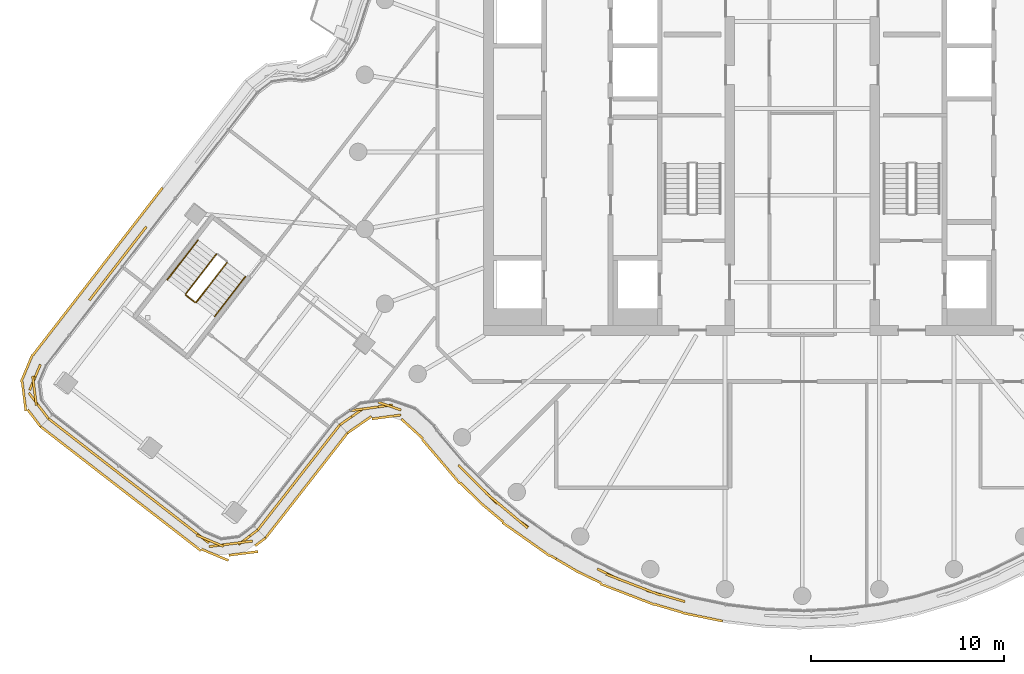
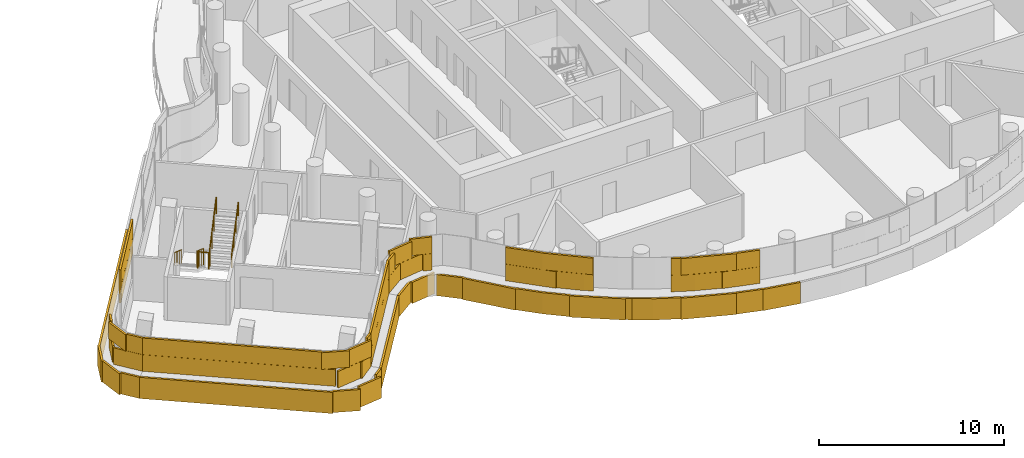
# One storey, part 21 of 26: 5 coverings, 5 railings.
"""IFC4 building model written with IfcOpenShell, lengths in metres."""

from ifc_helpers import new_model, si_unit, direction, frame, origin, origin_2d, place, context, subcontext, project, spatial, rectangle, circle, extrude, material, layer, layer_set, type_object, element, save


model = new_model("IFC4")

# Units and contexts
model_context = context("Model", 3, precision=1e-05, world=origin(), true_north=direction((0.0, 1.0)))
body_context = subcontext(model_context, "Body", "Model", "MODEL_VIEW")
ifc_project = project(units=[si_unit("LENGTHUNIT", "METRE"), si_unit("AREAUNIT", "SQUARE_METRE"), si_unit("VOLUMEUNIT", "CUBIC_METRE"), si_unit("PLANEANGLEUNIT", "RADIAN"), si_unit("MASSUNIT", "GRAM", prefix="KILO")], contexts=[model_context])

# Site, building, storey
site_placement = place(None, origin())
site = spatial("IfcSite", under=ifc_project, at=site_placement, CompositionType="ELEMENT")
building_placement = place(site_placement, origin())
building = spatial("IfcBuilding", under=site, at=building_placement, Name="Tamarind Cross Interchange Tower", CompositionType="ELEMENT")
storey_placement = place(building_placement, frame((0.0, 0.0, 223.5)))
storey = spatial("IfcBuildingStorey", under=building, at=storey_placement, Name="L56", CompositionType="ELEMENT", Elevation=223.5)

# Railings
ifc_material_1 = material(Name="Stair guard")
railing_type_1 = type_object("IfcRailingType", Name="Stair guard", PredefinedType="GUARDRAIL", material=ifc_material_1)
railing_1_placement = place(storey_placement, frame((-30.34326171875, -5.301025390625, 0.16357421875)))
element("IfcRailing", 1, at=railing_1_placement, inside=storey, type_object=railing_type_1, Name="L56 ST5 stair guard 1", PredefinedType="GUARDRAIL", context=body_context, shape_type="SweptSolid", body=[
    extrude(circle(Radius=0.02392578125, at=origin_2d()), frame((0.0, 0.0, 1.076171875), z_axis=(-0.518294854877, -0.66904697688, 0.532678689396), x_axis=(0.790538927468, -0.612411792962, 0.0)), (0.0, 0.0, 1.0), 3.072265625),
    extrude(circle(Radius=0.02099609375, at=origin_2d()), origin(), (0.0, 0.0, 1.0), 1.052001953125),
    extrude(circle(Radius=0.02099609375, at=origin_2d()), frame((-0.53076171875, -0.68505859375, 0.54541015625)), (0.0, 0.0, 1.0), 1.052001953125),
    extrude(circle(Radius=0.02099609375, at=origin_2d()), frame((-1.0615234375, -1.370361328125, 1.091064453125)), (0.0, 0.0, 1.0), 1.052001953125),
    extrude(circle(Radius=0.02099609375, at=origin_2d()), frame((-1.59228515625, -2.055419921875, 1.636474609375)), (0.0, 0.0, 1.0), 1.052001953125),
])
railing_2_placement = place(storey_placement, frame((-31.926513671875, -7.4267578125, 1.800048828125)))
element("IfcRailing", 2, at=railing_2_placement, inside=storey, type_object=railing_type_1, Name="L56 ST5 stair guard 2", PredefinedType="GUARDRAIL", context=body_context, shape_type="SweptSolid", body=[
    extrude(circle(Radius=0.02392578125, at=origin_2d()), frame((0.0, 0.0, 1.076171875), z_axis=(0.790577555925, -0.612361925717, 0.0), x_axis=(0.612361925717, 0.790577555925, 0.0)), (0.0, 0.0, 1.0), 0.60009765625),
    extrude(circle(Radius=0.02099609375, at=origin_2d()), origin(), (0.0, 0.0, 1.0), 1.052001953125),
    extrude(circle(Radius=0.02099609375, at=origin_2d()), frame((0.474365234375, -0.367431640625, 0.0)), (0.0, 0.0, 1.0), 1.052001953125),
])
railing_3_placement = place(storey_placement, frame((-31.382080078125, -7.78515625, 1.963623046875)))
element("IfcRailing", 3, at=railing_3_placement, inside=storey, type_object=railing_type_1, Name="L56 ST5 stair guard 3", PredefinedType="GUARDRAIL", context=body_context, shape_type="SweptSolid", body=[
    extrude(circle(Radius=0.02392578125, at=origin_2d()), frame((0.0, 0.0, 1.076171875), z_axis=(0.518236730228, 0.669074533322, 0.532700629155), x_axis=(-0.790584387917, 0.61235310531, 0.0)), (0.0, 0.0, 1.0), 3.072021484375),
    extrude(circle(Radius=0.02099609375, at=origin_2d()), origin(), (0.0, 0.0, 1.0), 1.052001953125),
    extrude(circle(Radius=0.02099609375, at=origin_2d()), frame((0.53076171875, 0.68505859375, 0.54541015625)), (0.0, 0.0, 1.0), 1.052001953125),
    extrude(circle(Radius=0.02099609375, at=origin_2d()), frame((1.061279296875, 1.370361328125, 1.091064453125)), (0.0, 0.0, 1.0), 1.052001953125),
    extrude(circle(Radius=0.02099609375, at=origin_2d()), frame((1.592041015625, 2.055419921875, 1.636474609375)), (0.0, 0.0, 1.0), 1.052001953125),
])
ifc_material_2 = material(Name="Stair handrail")
railing_type_2 = type_object("IfcRailingType", Name="Stair handrail", PredefinedType="HANDRAIL", material=ifc_material_2)
railing_4_placement = place(storey_placement, frame((-31.2919921875, -4.566162109375, 0.16357421875)))
element("IfcRailing", 4, at=railing_4_placement, inside=storey, type_object=railing_type_2, Name="L56 ST5 stair handrail 1", PredefinedType="HANDRAIL", context=body_context, shape_type="SweptSolid", body=[
    extrude(circle(Radius=0.02392578125, at=origin_2d()), frame((0.0, 0.0, 0.8759765625), z_axis=(-0.518267298585, -0.669090869992, 0.532650368356), x_axis=(0.790574140343, -0.61236633531, 0.0)), (0.0, 0.0, 1.0), 3.072265625),
    extrude(circle(Radius=0.02099609375, at=origin_2d()), origin(), (0.0, 0.0, 1.0), 0.851806640625),
    extrude(circle(Radius=0.02099609375, at=origin_2d()), frame((-0.53076171875, -0.685302734375, 0.54541015625)), (0.0, 0.0, 1.0), 0.851806640625),
    extrude(circle(Radius=0.02099609375, at=origin_2d()), frame((-1.0615234375, -1.370361328125, 1.091064453125)), (0.0, 0.0, 1.0), 0.851806640625),
    extrude(circle(Radius=0.02099609375, at=origin_2d()), frame((-1.59228515625, -2.0556640625, 1.636474609375)), (0.0, 0.0, 1.0), 0.851806640625),
])
railing_5_placement = place(storey_placement, frame((-30.433349609375, -8.52001953125, 1.963623046875)))
element("IfcRailing", 5, at=railing_5_placement, inside=storey, type_object=railing_type_2, Name="L56 ST5 stair handrail 2", PredefinedType="HANDRAIL", context=body_context, shape_type="SweptSolid", body=[
    extrude(circle(Radius=0.02392578125, at=origin_2d()), frame((0.0, 0.0, 0.8759765625), z_axis=(0.518236730228, 0.669074533322, 0.532700629155), x_axis=(-0.790584387917, 0.61235310531, 0.0)), (0.0, 0.0, 1.0), 3.072021484375),
    extrude(circle(Radius=0.02099609375, at=origin_2d()), origin(), (0.0, 0.0, 1.0), 0.851806640625),
    extrude(circle(Radius=0.02099609375, at=origin_2d()), frame((0.53076171875, 0.68505859375, 0.54541015625)), (0.0, 0.0, 1.0), 0.851806640625),
    extrude(circle(Radius=0.02099609375, at=origin_2d()), frame((1.061279296875, 1.370361328125, 1.091064453125)), (0.0, 0.0, 1.0), 0.851806640625),
    extrude(circle(Radius=0.02099609375, at=origin_2d()), frame((1.592041015625, 2.055419921875, 1.636474609375)), (0.0, 0.0, 1.0), 0.851806640625),
])

# Coverings
ifc_material_3 = material(Name="Terracotta", Category="masonry")
ifc_layer = layer(ifc_material_3, 0.1201171875)
ifc_layer_set = layer_set([ifc_layer], Name="Terracotta")
covering_type = type_object("IfcCoveringType", Name="Terracotta baguette screen unit", PredefinedType="MOLDING", material=ifc_layer_set)
covering_1_placement = place(storey_placement, origin())
element("IfcCovering", 6, at=covering_1_placement, inside=storey, type_object=covering_type, Name="SCR-L56-00-00", PredefinedType="MOLDING", context=body_context, shape_type="SweptSolid", body=[
    extrude(rectangle(XDim=1.510009765625, YDim=0.1201171875, at=origin_2d()), frame((-38.449462890625, -14.27734375, 1.40380859375), z_axis=(0.0, 0.0, 1.0), x_axis=(0.790582709629, -0.612355272073, 0.0)), (0.0, 0.0, 1.0), 1.092041015625),
    extrude(rectangle(XDim=1.52001953125, YDim=0.1201171875, at=origin_2d()), frame((-37.263427734375, -15.19580078125, 1.40380859375), z_axis=(0.0, 0.0, 1.0), x_axis=(0.790582709629, -0.612355272073, 0.0)), (0.0, 0.0, 1.0), 1.092041015625),
    extrude(rectangle(XDim=1.52001953125, YDim=0.1201171875, at=origin_2d()), frame((-36.07763671875, -16.1142578125, 1.40380859375), z_axis=(0.0, 0.0, 1.0), x_axis=(0.790582709629, -0.612355272073, 0.0)), (0.0, 0.0, 1.0), 1.092041015625),
    extrude(rectangle(XDim=1.52001953125, YDim=0.1201171875, at=origin_2d()), frame((-34.891845703125, -17.032958984375, 1.40380859375), z_axis=(0.0, 0.0, 1.0), x_axis=(0.790582709629, -0.612355272073, 0.0)), (0.0, 0.0, 1.0), 1.092041015625),
    extrude(rectangle(XDim=1.52001953125, YDim=0.1201171875, at=origin_2d()), frame((-33.705810546875, -17.951416015625, 1.40380859375), z_axis=(0.0, 0.0, 1.0), x_axis=(0.790582709629, -0.612355272073, 0.0)), (0.0, 0.0, 1.0), 1.092041015625),
    extrude(rectangle(XDim=1.52001953125, YDim=0.1201171875, at=origin_2d()), frame((-32.52001953125, -18.869873046875, 1.40380859375), z_axis=(0.0, 0.0, 1.0), x_axis=(0.790582709629, -0.612355272073, 0.0)), (0.0, 0.0, 1.0), 1.092041015625),
    extrude(rectangle(XDim=1.52001953125, YDim=0.1201171875, at=origin_2d()), frame((-31.334228515625, -19.78857421875, 1.40380859375), z_axis=(0.0, 0.0, 1.0), x_axis=(0.790582709629, -0.612355272073, 0.0)), (0.0, 0.0, 1.0), 1.092041015625),
    extrude(rectangle(XDim=1.52001953125, YDim=0.1201171875, at=origin_2d()), frame((-29.97607421875, -20.35107421875, 1.40380859375), z_axis=(0.0, 0.0, 1.0), x_axis=(0.992026960446, 0.126025829689, 0.0)), (0.0, 0.0, 1.0), 1.092041015625),
    extrude(rectangle(XDim=1.259521484375, YDim=0.1201171875, at=origin_2d()), frame((-28.69970703125, -19.9638671875, 1.40380859375), z_axis=(0.0, 0.0, 1.0), x_axis=(0.796107634141, 0.605155050266, 0.0)), (0.0, 0.0, 1.0), 1.092041015625),
    extrude(rectangle(XDim=0.760009765625, YDim=0.1201171875, at=origin_2d()), frame((-38.745849609375, -14.047607421875, 2.50390625), z_axis=(0.0, 0.0, 1.0), x_axis=(0.790582709629, -0.612355272073, 0.0)), (0.0, 0.0, 1.0), 1.092041015625),
    extrude(rectangle(XDim=1.52001953125, YDim=0.1201171875, at=origin_2d()), frame((-37.8564453125, -14.736572265625, 2.50390625), z_axis=(0.0, 0.0, 1.0), x_axis=(0.790582709629, -0.612355272073, 0.0)), (0.0, 0.0, 1.0), 1.092041015625),
    extrude(rectangle(XDim=1.52001953125, YDim=0.1201171875, at=origin_2d()), frame((-36.670654296875, -15.655029296875, 2.50390625), z_axis=(0.0, 0.0, 1.0), x_axis=(0.790582709629, -0.612355272073, 0.0)), (0.0, 0.0, 1.0), 1.092041015625),
    extrude(rectangle(XDim=1.52001953125, YDim=0.1201171875, at=origin_2d()), frame((-35.484619140625, -16.57373046875, 2.50390625), z_axis=(0.0, 0.0, 1.0), x_axis=(0.790582709629, -0.612355272073, 0.0)), (0.0, 0.0, 1.0), 1.092041015625),
    extrude(rectangle(XDim=1.52001953125, YDim=0.1201171875, at=origin_2d()), frame((-34.298828125, -17.4921875, 2.50390625), z_axis=(0.0, 0.0, 1.0), x_axis=(0.790582709629, -0.612355272073, 0.0)), (0.0, 0.0, 1.0), 1.092041015625),
    extrude(rectangle(XDim=1.52001953125, YDim=0.1201171875, at=origin_2d()), frame((-33.113037109375, -18.41064453125, 2.50390625), z_axis=(0.0, 0.0, 1.0), x_axis=(0.790582709629, -0.612355272073, 0.0)), (0.0, 0.0, 1.0), 1.092041015625),
    extrude(rectangle(XDim=1.52001953125, YDim=0.1201171875, at=origin_2d()), frame((-31.927001953125, -19.329345703125, 2.50390625), z_axis=(0.0, 0.0, 1.0), x_axis=(0.790582709629, -0.612355272073, 0.0)), (0.0, 0.0, 1.0), 1.092041015625),
    extrude(rectangle(XDim=1.52001953125, YDim=0.1201171875, at=origin_2d()), frame((-30.678466796875, -20.140380859375, 2.50390625), z_axis=(0.0, 0.0, 1.0), x_axis=(0.92213346383, -0.386871910179, 0.0)), (0.0, 0.0, 1.0), 1.092041015625),
    extrude(rectangle(XDim=1.52001953125, YDim=0.1201171875, at=origin_2d()), frame((-29.232177734375, -20.25634765625, 2.50390625), z_axis=(0.0, 0.0, 1.0), x_axis=(0.992026960446, 0.126025829689, 0.0)), (0.0, 0.0, 1.0), 1.092041015625),
    extrude(rectangle(XDim=0.509521484375, YDim=0.1201171875, at=origin_2d()), frame((-28.4013671875, -19.737060546875, 2.50390625), z_axis=(0.0, 0.0, 1.0), x_axis=(0.796107634141, 0.605155050266, 0.0)), (0.0, 0.0, 1.0), 1.092041015625),
    extrude(rectangle(XDim=1.510009765625, YDim=0.1201171875, at=origin_2d()), frame((-38.856689453125, -14.68798828125, 0.00390625), z_axis=(0.0, 0.0, 1.0), x_axis=(0.790582709629, -0.612355272073, 0.0)), (0.0, 0.0, 1.0), 1.39208984375),
    extrude(rectangle(XDim=1.52001953125, YDim=0.1201171875, at=origin_2d()), frame((-37.6748046875, -15.603271484375, 0.00390625), z_axis=(0.0, 0.0, 1.0), x_axis=(0.790582709629, -0.612355272073, 0.0)), (0.0, 0.0, 1.0), 1.39208984375),
    extrude(rectangle(XDim=1.52001953125, YDim=0.1201171875, at=origin_2d()), frame((-36.489013671875, -16.52197265625, 0.00390625), z_axis=(0.0, 0.0, 1.0), x_axis=(0.790582709629, -0.612355272073, 0.0)), (0.0, 0.0, 1.0), 1.39208984375),
    extrude(rectangle(XDim=1.52001953125, YDim=0.1201171875, at=origin_2d()), frame((-35.302978515625, -17.4404296875, 0.00390625), z_axis=(0.0, 0.0, 1.0), x_axis=(0.790582709629, -0.612355272073, 0.0)), (0.0, 0.0, 1.0), 1.39208984375),
    extrude(rectangle(XDim=1.52001953125, YDim=0.1201171875, at=origin_2d()), frame((-34.1171875, -18.35888671875, 0.00390625), z_axis=(0.0, 0.0, 1.0), x_axis=(0.790582709629, -0.612355272073, 0.0)), (0.0, 0.0, 1.0), 1.39208984375),
    extrude(rectangle(XDim=1.52001953125, YDim=0.1201171875, at=origin_2d()), frame((-32.931396484375, -19.277587890625, 0.00390625), z_axis=(0.0, 0.0, 1.0), x_axis=(0.790582709629, -0.612355272073, 0.0)), (0.0, 0.0, 1.0), 1.39208984375),
    extrude(rectangle(XDim=1.52001953125, YDim=0.1201171875, at=origin_2d()), frame((-31.745361328125, -20.196044921875, 0.00390625), z_axis=(0.0, 0.0, 1.0), x_axis=(0.790582709629, -0.612355272073, 0.0)), (0.0, 0.0, 1.0), 1.39208984375),
    extrude(rectangle(XDim=1.52001953125, YDim=0.1201171875, at=origin_2d()), frame((-30.418212890625, -20.8720703125, 0.00390625), z_axis=(0.0, 0.0, 1.0), x_axis=(0.92213346383, -0.386871910179, 0.0)), (0.0, 0.0, 1.0), 1.39208984375),
    extrude(rectangle(XDim=1.52001953125, YDim=0.1201171875, at=origin_2d()), frame((-28.94580078125, -20.798828125, 0.00390625), z_axis=(0.0, 0.0, 1.0), x_axis=(0.992026960446, 0.126025829689, 0.0)), (0.0, 0.0, 1.0), 1.39208984375),
    extrude(rectangle(XDim=0.67578125, YDim=0.1201171875, at=origin_2d()), frame((-28.06494140625, -20.2021484375, 0.00390625), z_axis=(0.0, 0.0, 1.0), x_axis=(0.796107634141, 0.605155050266, 0.0)), (0.0, 0.0, 1.0), 1.39208984375),
])
covering_2_placement = place(storey_placement, origin())
element("IfcCovering", 7, at=covering_2_placement, inside=storey, type_object=covering_type, Name="SCR-L56-01-00", PredefinedType="MOLDING", context=body_context, shape_type="SweptSolid", body=[
    extrude(rectangle(XDim=1.510009765625, YDim=0.1201171875, at=origin_2d()), frame((-27.740966796875, -18.99462890625, 1.40380859375), z_axis=(0.0, 0.0, 1.0), x_axis=(0.615428676698, 0.788192580464, 0.0)), (0.0, 0.0, 1.0), 1.092041015625),
    extrude(rectangle(XDim=1.52001953125, YDim=0.1201171875, at=origin_2d()), frame((-26.817626953125, -17.8125, 1.40380859375), z_axis=(0.0, 0.0, 1.0), x_axis=(0.615428676698, 0.788192580464, 0.0)), (0.0, 0.0, 1.0), 1.092041015625),
    extrude(rectangle(XDim=1.52001953125, YDim=0.1201171875, at=origin_2d()), frame((-25.89453125, -16.630126953125, 1.40380859375), z_axis=(0.0, 0.0, 1.0), x_axis=(0.615428676698, 0.788192580464, 0.0)), (0.0, 0.0, 1.0), 1.092041015625),
    extrude(rectangle(XDim=1.52001953125, YDim=0.1201171875, at=origin_2d()), frame((-24.971435546875, -15.44775390625, 1.40380859375), z_axis=(0.0, 0.0, 1.0), x_axis=(0.615428676698, 0.788192580464, 0.0)), (0.0, 0.0, 1.0), 1.092041015625),
    extrude(rectangle(XDim=0.913818359375, YDim=0.1201171875, at=origin_2d()), frame((-24.231689453125, -14.50048828125, 1.40380859375), z_axis=(0.0, 0.0, 1.0), x_axis=(0.615428676698, 0.788192580464, 0.0)), (0.0, 0.0, 1.0), 1.092041015625),
    extrude(rectangle(XDim=0.760009765625, YDim=0.1201171875, at=origin_2d()), frame((-27.9716796875, -19.290283203125, 2.50390625), z_axis=(0.0, 0.0, 1.0), x_axis=(0.615428676698, 0.788192580464, 0.0)), (0.0, 0.0, 1.0), 1.092041015625),
    extrude(rectangle(XDim=1.52001953125, YDim=0.1201171875, at=origin_2d()), frame((-27.279296875, -18.403564453125, 2.50390625), z_axis=(0.0, 0.0, 1.0), x_axis=(0.615428676698, 0.788192580464, 0.0)), (0.0, 0.0, 1.0), 1.092041015625),
    extrude(rectangle(XDim=1.52001953125, YDim=0.1201171875, at=origin_2d()), frame((-26.356201171875, -17.22119140625, 2.50390625), z_axis=(0.0, 0.0, 1.0), x_axis=(0.615428676698, 0.788192580464, 0.0)), (0.0, 0.0, 1.0), 1.092041015625),
    extrude(rectangle(XDim=1.52001953125, YDim=0.1201171875, at=origin_2d()), frame((-25.43310546875, -16.0390625, 2.50390625), z_axis=(0.0, 0.0, 1.0), x_axis=(0.615428676698, 0.788192580464, 0.0)), (0.0, 0.0, 1.0), 1.092041015625),
    extrude(rectangle(XDim=1.52001953125, YDim=0.1201171875, at=origin_2d()), frame((-24.509765625, -14.856689453125, 2.50390625), z_axis=(0.0, 0.0, 1.0), x_axis=(0.615428676698, 0.788192580464, 0.0)), (0.0, 0.0, 1.0), 1.092041015625),
    extrude(rectangle(XDim=0.163818359375, YDim=0.1201171875, at=origin_2d()), frame((-24.0009765625, -14.204833984375, 2.50390625), z_axis=(0.0, 0.0, 1.0), x_axis=(0.615428676698, 0.788192580464, 0.0)), (0.0, 0.0, 1.0), 1.092041015625),
    extrude(rectangle(XDim=1.510009765625, YDim=0.1201171875, at=origin_2d()), frame((-27.3310546875, -19.402587890625, 0.00390625), z_axis=(0.0, 0.0, 1.0), x_axis=(0.615428676698, 0.788192580464, 0.0)), (0.0, 0.0, 1.0), 1.39208984375),
    extrude(rectangle(XDim=1.52001953125, YDim=0.1201171875, at=origin_2d()), frame((-26.4111328125, -18.224365234375, 0.00390625), z_axis=(0.0, 0.0, 1.0), x_axis=(0.615428676698, 0.788192580464, 0.0)), (0.0, 0.0, 1.0), 1.39208984375),
    extrude(rectangle(XDim=1.52001953125, YDim=0.1201171875, at=origin_2d()), frame((-25.488037109375, -17.0419921875, 0.00390625), z_axis=(0.0, 0.0, 1.0), x_axis=(0.615428676698, 0.788192580464, 0.0)), (0.0, 0.0, 1.0), 1.39208984375),
    extrude(rectangle(XDim=1.52001953125, YDim=0.1201171875, at=origin_2d()), frame((-24.564697265625, -15.859619140625, 0.00390625), z_axis=(0.0, 0.0, 1.0), x_axis=(0.615428676698, 0.788192580464, 0.0)), (0.0, 0.0, 1.0), 1.39208984375),
    extrude(rectangle(XDim=0.901611328125, YDim=0.1201171875, at=origin_2d()), frame((-23.83203125, -14.921142578125, 0.00390625), z_axis=(0.0, 0.0, 1.0), x_axis=(0.615428676698, 0.788192580464, 0.0)), (0.0, 0.0, 1.0), 1.39208984375),
])
covering_3_placement = place(storey_placement, origin())
element("IfcCovering", 8, at=covering_3_placement, inside=storey, type_object=covering_type, Name="SCR-L56-02-00", PredefinedType="MOLDING", context=body_context, shape_type="SweptSolid", body=[
    extrude(rectangle(XDim=1.510009765625, YDim=0.1201171875, at=origin_2d()), frame((-23.337890625, -13.7158203125, 1.40380859375), z_axis=(0.0, 0.0, 1.0), x_axis=(0.820814568141, 0.571194752013, 0.0)), (0.0, 0.0, 1.0), 1.092041015625),
    extrude(rectangle(XDim=1.52001953125, YDim=0.1201171875, at=origin_2d()), frame((-21.969970703125, -13.20947265625, 1.40380859375), z_axis=(0.0, 0.0, 1.0), x_axis=(0.990734936562, 0.135809739985, 0.0)), (0.0, 0.0, 1.0), 1.092041015625),
    extrude(rectangle(XDim=0.492919921875, YDim=0.1201171875, at=origin_2d()), frame((-21.0087890625, -13.293212890625, 1.40380859375), z_axis=(0.0, 0.0, 1.0), x_axis=(0.946238036116, -0.323471140918, 0.0)), (0.0, 0.0, 1.0), 1.092041015625),
    extrude(rectangle(XDim=1.326904296875, YDim=0.1201171875, at=origin_2d()), frame((-17.341064453125, -16.695556640625, 1.40380859375), z_axis=(0.0, 0.0, 1.0), x_axis=(0.710143317658, -0.704057148523, 0.0)), (0.0, 0.0, 1.0), 1.092041015625),
    extrude(rectangle(XDim=1.52001953125, YDim=0.1201171875, at=origin_2d()), frame((-16.3408203125, -17.687255859375, 1.40380859375), z_axis=(0.0, 0.0, 1.0), x_axis=(0.710143317658, -0.704057148523, 0.0)), (0.0, 0.0, 1.0), 1.092041015625),
    extrude(rectangle(XDim=1.52001953125, YDim=0.1201171875, at=origin_2d()), frame((-15.200439453125, -18.66064453125, 1.40380859375), z_axis=(0.0, 0.0, 1.0), x_axis=(0.765858396687, -0.643009266048, 0.0)), (0.0, 0.0, 1.0), 1.092041015625),
    extrude(rectangle(XDim=0.531005859375, YDim=0.1201171875, at=origin_2d()), frame((-14.40771484375, -19.2861328125, 1.40380859375), z_axis=(0.0, 0.0, 1.0), x_axis=(0.816341886298, -0.577568978284, 0.0)), (0.0, 0.0, 1.0), 1.092041015625),
    extrude(rectangle(XDim=0.760009765625, YDim=0.1201171875, at=origin_2d()), frame((-23.645751953125, -13.929931640625, 2.50390625), z_axis=(0.0, 0.0, 1.0), x_axis=(0.820814568141, 0.571194752013, 0.0)), (0.0, 0.0, 1.0), 1.092041015625),
    extrude(rectangle(XDim=1.52001953125, YDim=0.1201171875, at=origin_2d()), frame((-22.713134765625, -13.311279296875, 2.50390625), z_axis=(0.0, 0.0, 1.0), x_axis=(0.990734936562, 0.135809739985, 0.0)), (0.0, 0.0, 1.0), 1.092041015625),
    extrude(rectangle(XDim=1.242919921875, YDim=0.1201171875, at=origin_2d()), frame((-21.36376953125, -13.171875, 2.50390625), z_axis=(0.0, 0.0, 1.0), x_axis=(0.946238036116, -0.323471140918, 0.0)), (0.0, 0.0, 1.0), 1.092041015625),
    extrude(rectangle(XDim=0.576904296875, YDim=0.1201171875, at=origin_2d()), frame((-17.607421875, -16.431640625, 2.50390625), z_axis=(0.0, 0.0, 1.0), x_axis=(0.710143317658, -0.704057148523, 0.0)), (0.0, 0.0, 1.0), 1.092041015625),
    extrude(rectangle(XDim=1.52001953125, YDim=0.1201171875, at=origin_2d()), frame((-16.87353515625, -17.1591796875, 2.50390625), z_axis=(0.0, 0.0, 1.0), x_axis=(0.710143317658, -0.704057148523, 0.0)), (0.0, 0.0, 1.0), 1.092041015625),
    extrude(rectangle(XDim=1.52001953125, YDim=0.1201171875, at=origin_2d()), frame((-15.774658203125, -18.178466796875, 2.50390625), z_axis=(0.0, 0.0, 1.0), x_axis=(0.765858396687, -0.643009266048, 0.0)), (0.0, 0.0, 1.0), 1.092041015625),
    extrude(rectangle(XDim=1.281005859375, YDim=0.1201171875, at=origin_2d()), frame((-14.713623046875, -19.0693359375, 2.50390625), z_axis=(0.0, 0.0, 1.0), x_axis=(0.765858396687, -0.643009266048, 0.0)), (0.0, 0.0, 1.0), 1.092041015625),
    extrude(rectangle(XDim=1.510009765625, YDim=0.1201171875, at=origin_2d()), frame((-22.934814453125, -14.134521484375, 0.00390625), z_axis=(0.0, 0.0, 1.0), x_axis=(0.820814568141, 0.571194752013, 0.0)), (0.0, 0.0, 1.0), 1.39208984375),
    extrude(rectangle(XDim=1.52001953125, YDim=0.1201171875, at=origin_2d()), frame((-21.53271484375, -13.728759765625, 0.00390625), z_axis=(0.0, 0.0, 1.0), x_axis=(0.990734936562, 0.135809739985, 0.0)), (0.0, 0.0, 1.0), 1.39208984375),
    extrude(rectangle(XDim=1.52001953125, YDim=0.1201171875, at=origin_2d()), frame((-20.19873046875, -14.3515625, 0.00390625), z_axis=(0.0, 0.0, 1.0), x_axis=(0.739005481739, -0.673699412171, 0.0)), (0.0, 0.0, 1.0), 1.39208984375),
    extrude(rectangle(XDim=1.52001953125, YDim=0.1201171875, at=origin_2d()), frame((-19.197998046875, -15.461181640625, 0.00390625), z_axis=(0.0, 0.0, 1.0), x_axis=(0.64957723968, -0.760295606781, 0.0)), (0.0, 0.0, 1.0), 1.39208984375),
    extrude(rectangle(XDim=1.52001953125, YDim=0.1201171875, at=origin_2d()), frame((-18.2236328125, -16.6015625, 0.00390625), z_axis=(0.0, 0.0, 1.0), x_axis=(0.64957723968, -0.760295606781, 0.0)), (0.0, 0.0, 1.0), 1.39208984375),
    extrude(rectangle(XDim=1.52001953125, YDim=0.1201171875, at=origin_2d()), frame((-17.172607421875, -17.6708984375, 0.00390625), z_axis=(0.0, 0.0, 1.0), x_axis=(0.710143317658, -0.704057148523, 0.0)), (0.0, 0.0, 1.0), 1.39208984375),
    extrude(rectangle(XDim=1.52001953125, YDim=0.1201171875, at=origin_2d()), frame((-16.06689453125, -18.6826171875, 0.00390625), z_axis=(0.0, 0.0, 1.0), x_axis=(0.765858396687, -0.643009266048, 0.0)), (0.0, 0.0, 1.0), 1.39208984375),
    extrude(rectangle(XDim=1.52001953125, YDim=0.1201171875, at=origin_2d()), frame((-14.90869140625, -19.634765625, 0.00390625), z_axis=(0.0, 0.0, 1.0), x_axis=(0.816341886298, -0.577568978284, 0.0)), (0.0, 0.0, 1.0), 1.39208984375),
    extrude(rectangle(XDim=1.52001953125, YDim=0.1201171875, at=origin_2d()), frame((-13.68408203125, -20.5009765625, 0.00390625), z_axis=(0.0, 0.0, 1.0), x_axis=(0.816341886298, -0.577568978284, 0.0)), (0.0, 0.0, 1.0), 1.39208984375),
    extrude(rectangle(XDim=0.36962890625, YDim=0.1201171875, at=origin_2d()), frame((-12.9033203125, -20.995361328125, 0.00390625), z_axis=(0.0, 0.0, 1.0), x_axis=(0.861248933065, -0.508183308752, 0.0)), (0.0, 0.0, 1.0), 1.39208984375),
])
covering_4_placement = place(storey_placement, origin())
element("IfcCovering", 9, at=covering_4_placement, inside=storey, type_object=covering_type, Name="SCR-L56-02-01", PredefinedType="MOLDING", context=body_context, shape_type="SweptSolid", body=[
    extrude(rectangle(XDim=1.2890625, YDim=0.1201171875, at=origin_2d()), frame((-10.02978515625, -21.88134765625, 1.40380859375), z_axis=(0.0, 0.0, 1.0), x_axis=(0.900272776334, -0.435326231914, 0.0)), (0.0, 0.0, 1.0), 1.092041015625),
    extrude(rectangle(XDim=1.52001953125, YDim=0.1201171875, at=origin_2d()), frame((-8.74951171875, -22.418701171875, 1.40380859375), z_axis=(0.0, 0.0, 1.0), x_axis=(0.933146843667, -0.359495435512, 0.0)), (0.0, 0.0, 1.0), 1.092041015625),
    extrude(rectangle(XDim=1.52001953125, YDim=0.1201171875, at=origin_2d()), frame((-7.339111328125, -22.9267578125, 1.40380859375), z_axis=(0.0, 0.0, 1.0), x_axis=(0.95964657186, -0.281208920763, 0.0)), (0.0, 0.0, 1.0), 1.092041015625),
    extrude(rectangle(XDim=0.57421875, YDim=0.1201171875, at=origin_2d()), frame((-6.3486328125, -23.217041015625, 1.40380859375), z_axis=(0.0, 0.0, 1.0), x_axis=(0.95964657186, -0.281208920763, 0.0)), (0.0, 0.0, 1.0), 1.092041015625),
    extrude(rectangle(XDim=0.5390625, YDim=0.1201171875, at=origin_2d()), frame((-10.367431640625, -21.71826171875, 2.50390625), z_axis=(0.0, 0.0, 1.0), x_axis=(0.900272776334, -0.435326231914, 0.0)), (0.0, 0.0, 1.0), 1.092041015625),
    extrude(rectangle(XDim=1.52001953125, YDim=0.1201171875, at=origin_2d()), frame((-9.449462890625, -22.149169921875, 2.50390625), z_axis=(0.0, 0.0, 1.0), x_axis=(0.933146843667, -0.359495435512, 0.0)), (0.0, 0.0, 1.0), 1.092041015625),
    extrude(rectangle(XDim=1.52001953125, YDim=0.1201171875, at=origin_2d()), frame((-8.049560546875, -22.6884765625, 2.50390625), z_axis=(0.0, 0.0, 1.0), x_axis=(0.933146843667, -0.359495435512, 0.0)), (0.0, 0.0, 1.0), 1.092041015625),
    extrude(rectangle(XDim=1.32421875, YDim=0.1201171875, at=origin_2d()), frame((-6.70849609375, -23.111572265625, 2.50390625), z_axis=(0.0, 0.0, 1.0), x_axis=(0.95964657186, -0.281208920763, 0.0)), (0.0, 0.0, 1.0), 1.092041015625),
    extrude(rectangle(XDim=1.150390625, YDim=0.1201171875, at=origin_2d()), frame((-12.248779296875, -21.381591796875, 0.00390625), z_axis=(0.0, 0.0, 1.0), x_axis=(0.861248933065, -0.508183308752, 0.0)), (0.0, 0.0, 1.0), 1.39208984375),
    extrude(rectangle(XDim=1.52001953125, YDim=0.1201171875, at=origin_2d()), frame((-11.09228515625, -22.00537109375, 0.00390625), z_axis=(0.0, 0.0, 1.0), x_axis=(0.900272776334, -0.435326231914, 0.0)), (0.0, 0.0, 1.0), 1.39208984375),
    extrude(rectangle(XDim=1.52001953125, YDim=0.1201171875, at=origin_2d()), frame((-9.7392578125, -22.652587890625, 0.00390625), z_axis=(0.0, 0.0, 1.0), x_axis=(0.933146843667, -0.359495435512, 0.0)), (0.0, 0.0, 1.0), 1.39208984375),
    extrude(rectangle(XDim=1.52001953125, YDim=0.1201171875, at=origin_2d()), frame((-8.339599609375, -23.19189453125, 0.00390625), z_axis=(0.0, 0.0, 1.0), x_axis=(0.933146843667, -0.359495435512, 0.0)), (0.0, 0.0, 1.0), 1.39208984375),
    extrude(rectangle(XDim=1.52001953125, YDim=0.1201171875, at=origin_2d()), frame((-6.912353515625, -23.64990234375, 0.00390625), z_axis=(0.0, 0.0, 1.0), x_axis=(0.95964657186, -0.281208920763, 0.0)), (0.0, 0.0, 1.0), 1.39208984375),
    extrude(rectangle(XDim=1.52001953125, YDim=0.1201171875, at=origin_2d()), frame((-5.463134765625, -24.03173828125, 0.00390625), z_axis=(0.0, 0.0, 1.0), x_axis=(0.9795909409, -0.201001463943, 0.0)), (0.0, 0.0, 1.0), 1.39208984375),
    extrude(rectangle(XDim=0.628662109375, YDim=0.1201171875, at=origin_2d()), frame((-4.43017578125, -24.24365234375, 0.00390625), z_axis=(0.0, 0.0, 1.0), x_axis=(0.9795909409, -0.201001463943, 0.0)), (0.0, 0.0, 1.0), 1.39208984375),
])
covering_5_placement = place(storey_placement, origin())
element("IfcCovering", 10, at=covering_5_placement, inside=storey, type_object=covering_type, Name="SCR-L56-07-01", PredefinedType="MOLDING", context=body_context, shape_type="SweptSolid", body=[
    extrude(rectangle(XDim=1.450439453125, YDim=0.1201171875, at=origin_2d()), frame((-34.4130859375, -4.44775390625, 1.40380859375), z_axis=(0.0, 0.0, 1.0), x_axis=(-0.612355272073, -0.790582709629, 0.0)), (0.0, 0.0, 1.0), 1.092041015625),
    extrude(rectangle(XDim=1.52001953125, YDim=0.1201171875, at=origin_2d()), frame((-35.3134765625, -5.610107421875, 1.40380859375), z_axis=(0.0, 0.0, 1.0), x_axis=(-0.612355272073, -0.790582709629, 0.0)), (0.0, 0.0, 1.0), 1.092041015625),
    extrude(rectangle(XDim=1.52001953125, YDim=0.1201171875, at=origin_2d()), frame((-36.23193359375, -6.796142578125, 1.40380859375), z_axis=(0.0, 0.0, 1.0), x_axis=(-0.612355272073, -0.790582709629, 0.0)), (0.0, 0.0, 1.0), 1.092041015625),
    extrude(rectangle(XDim=0.38134765625, YDim=0.1201171875, at=origin_2d()), frame((-36.804931640625, -7.535888671875, 1.40380859375), z_axis=(0.0, 0.0, 1.0), x_axis=(-0.612355272073, -0.790582709629, 0.0)), (0.0, 0.0, 1.0), 1.092041015625),
    extrude(rectangle(XDim=1.438720703125, YDim=0.1201171875, at=origin_2d()), frame((-39.73828125, -11.678466796875, 1.40380859375), z_axis=(0.0, 0.0, 1.0), x_axis=(-0.386871910179, -0.92213346383, 0.0)), (0.0, 0.0, 1.0), 1.092041015625),
    extrude(rectangle(XDim=1.52001953125, YDim=0.1201171875, at=origin_2d()), frame((-39.59912109375, -13.08544921875, 1.40380859375), z_axis=(0.0, 0.0, 1.0), x_axis=(0.605155050266, -0.796107634141, 0.0)), (0.0, 0.0, 1.0), 1.092041015625),
    extrude(rectangle(XDim=0.18017578125, YDim=0.1201171875, at=origin_2d()), frame((-39.09375, -13.750244140625, 1.40380859375), z_axis=(0.0, 0.0, 1.0), x_axis=(0.605155050266, -0.796107634141, 0.0)), (0.0, 0.0, 1.0), 1.092041015625),
    extrude(rectangle(XDim=0.700439453125, YDim=0.1201171875, at=origin_2d()), frame((-34.18359375, -4.1513671875, 2.50390625), z_axis=(0.0, 0.0, 1.0), x_axis=(-0.612355272073, -0.790582709629, 0.0)), (0.0, 0.0, 1.0), 1.092041015625),
    extrude(rectangle(XDim=1.52001953125, YDim=0.1201171875, at=origin_2d()), frame((-34.854248046875, -5.017333984375, 2.50390625), z_axis=(0.0, 0.0, 1.0), x_axis=(-0.612355272073, -0.790582709629, 0.0)), (0.0, 0.0, 1.0), 1.092041015625),
    extrude(rectangle(XDim=1.52001953125, YDim=0.1201171875, at=origin_2d()), frame((-35.772705078125, -6.203125, 2.50390625), z_axis=(0.0, 0.0, 1.0), x_axis=(-0.612355272073, -0.790582709629, 0.0)), (0.0, 0.0, 1.0), 1.092041015625),
    extrude(rectangle(XDim=1.13134765625, YDim=0.1201171875, at=origin_2d()), frame((-36.575439453125, -7.2392578125, 2.50390625), z_axis=(0.0, 0.0, 1.0), x_axis=(-0.612355272073, -0.790582709629, 0.0)), (0.0, 0.0, 1.0), 1.092041015625),
    extrude(rectangle(XDim=0.688720703125, YDim=0.1201171875, at=origin_2d()), frame((-39.59326171875, -11.33251953125, 2.50390625), z_axis=(0.0, 0.0, 1.0), x_axis=(-0.386871910179, -0.92213346383, 0.0)), (0.0, 0.0, 1.0), 1.092041015625),
    extrude(rectangle(XDim=1.52001953125, YDim=0.1201171875, at=origin_2d()), frame((-39.76611328125, -12.37109375, 2.50390625), z_axis=(0.0, 0.0, 1.0), x_axis=(0.126025829689, -0.992026960446, 0.0)), (0.0, 0.0, 1.0), 1.092041015625),
    extrude(rectangle(XDim=0.93017578125, YDim=0.1201171875, at=origin_2d()), frame((-39.32080078125, -13.45166015625, 2.50390625), z_axis=(0.0, 0.0, 1.0), x_axis=(0.605155050266, -0.796107634141, 0.0)), (0.0, 0.0, 1.0), 1.092041015625),
    extrude(rectangle(XDim=0.492431640625, YDim=0.1201171875, at=origin_2d()), frame((-33.28076171875, -2.048583984375, 0.00390625), z_axis=(0.0, 0.0, 1.0), x_axis=(-0.612355272073, -0.790582709629, 0.0)), (0.0, 0.0, 1.0), 1.39208984375),
    extrude(rectangle(XDim=1.52001953125, YDim=0.1201171875, at=origin_2d()), frame((-33.884765625, -2.828125, 0.00390625), z_axis=(0.0, 0.0, 1.0), x_axis=(-0.612355272073, -0.790582709629, 0.0)), (0.0, 0.0, 1.0), 1.39208984375),
    extrude(rectangle(XDim=1.52001953125, YDim=0.1201171875, at=origin_2d()), frame((-34.80322265625, -4.01416015625, 0.00390625), z_axis=(0.0, 0.0, 1.0), x_axis=(-0.612355272073, -0.790582709629, 0.0)), (0.0, 0.0, 1.0), 1.39208984375),
    extrude(rectangle(XDim=1.52001953125, YDim=0.1201171875, at=origin_2d()), frame((-35.721923828125, -5.199951171875, 0.00390625), z_axis=(0.0, 0.0, 1.0), x_axis=(-0.612355272073, -0.790582709629, 0.0)), (0.0, 0.0, 1.0), 1.39208984375),
    extrude(rectangle(XDim=1.52001953125, YDim=0.1201171875, at=origin_2d()), frame((-36.640380859375, -6.385986328125, 0.00390625), z_axis=(0.0, 0.0, 1.0), x_axis=(-0.612355272073, -0.790582709629, 0.0)), (0.0, 0.0, 1.0), 1.39208984375),
    extrude(rectangle(XDim=1.52001953125, YDim=0.1201171875, at=origin_2d()), frame((-37.558837890625, -7.57177734375, 0.00390625), z_axis=(0.0, 0.0, 1.0), x_axis=(-0.612355272073, -0.790582709629, 0.0)), (0.0, 0.0, 1.0), 1.39208984375),
    extrude(rectangle(XDim=1.52001953125, YDim=0.1201171875, at=origin_2d()), frame((-38.4775390625, -8.757568359375, 0.00390625), z_axis=(0.0, 0.0, 1.0), x_axis=(-0.612355272073, -0.790582709629, 0.0)), (0.0, 0.0, 1.0), 1.39208984375),
    extrude(rectangle(XDim=1.52001953125, YDim=0.1201171875, at=origin_2d()), frame((-39.39599609375, -9.943603515625, 0.00390625), z_axis=(0.0, 0.0, 1.0), x_axis=(-0.612355272073, -0.790582709629, 0.0)), (0.0, 0.0, 1.0), 1.39208984375),
    extrude(rectangle(XDim=1.52001953125, YDim=0.1201171875, at=origin_2d()), frame((-40.16650390625, -11.215576171875, 0.00390625), z_axis=(0.0, 0.0, 1.0), x_axis=(-0.386871910179, -0.92213346383, 0.0)), (0.0, 0.0, 1.0), 1.39208984375),
    extrude(rectangle(XDim=1.52001953125, YDim=0.1201171875, at=origin_2d()), frame((-40.30810546875, -12.65869140625, 0.00390625), z_axis=(0.0, 0.0, 1.0), x_axis=(0.126025829689, -0.992026960446, 0.0)), (0.0, 0.0, 1.0), 1.39208984375),
    extrude(rectangle(XDim=1.096435546875, YDim=0.1201171875, at=origin_2d()), frame((-39.785400390625, -13.7890625, 0.00390625), z_axis=(0.0, 0.0, 1.0), x_axis=(0.605155050266, -0.796107634141, 0.0)), (0.0, 0.0, 1.0), 1.39208984375),
])

save(model, "model.ifc")
